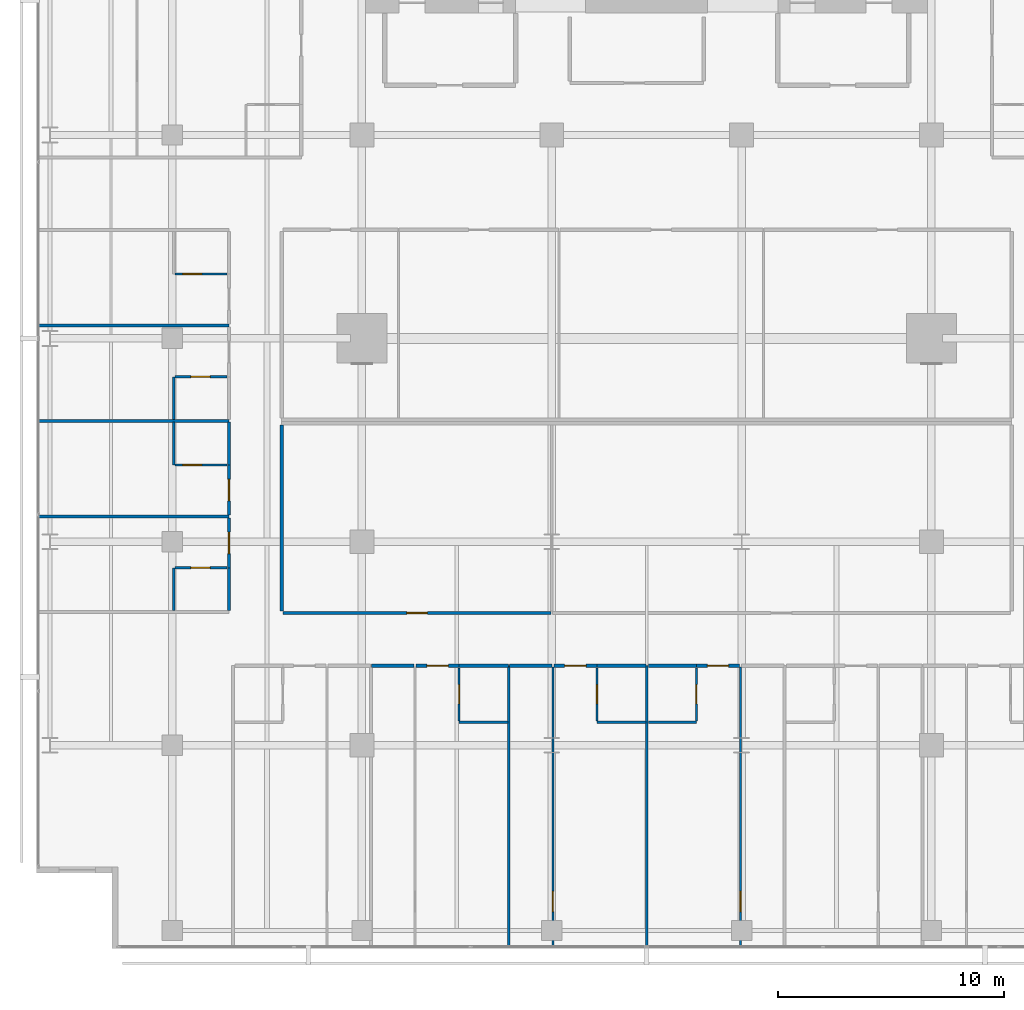
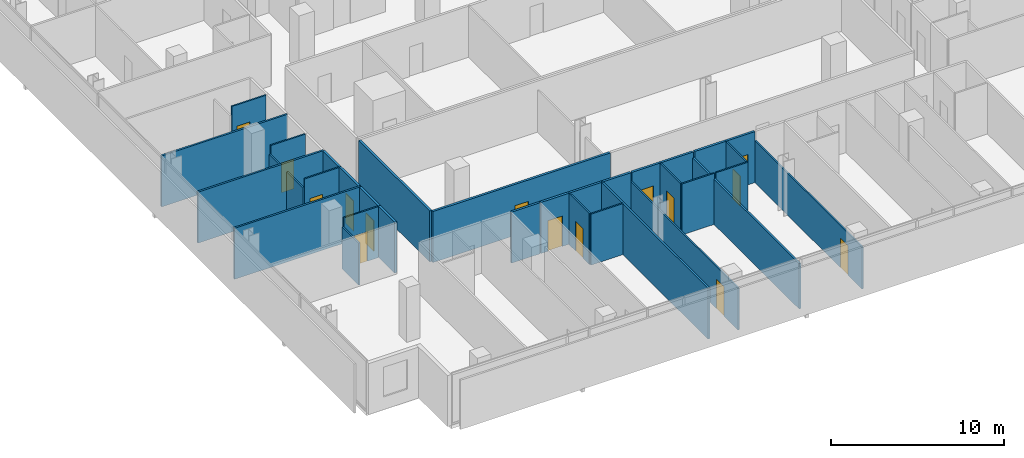
# One storey, part 33 of 40: 34 walls, 15 doors, 15 openings.
"""IFC4 building model written with IfcOpenShell, lengths in metres."""

import ifcopenshell
import ifcopenshell.guid

model = None  # the IFC model being written
_history = None  # IfcOwnerHistory: only IFC2X3 demands one
_inside = {}  # id of a spatial element -> (the spatial element, [elements in it])
_under = {}  # id of a project, library or spatial element -> (it, [spatial elements below it])
_declared = {}  # id of a project -> (the project, [libraries it declares])
_typed = {}  # id of a type object -> (the type object, [elements of that type])
_made_of = {}  # id of a material, layer set ... -> (it, [elements and type objects made of it])


def new_model(schema):
    """Start an empty IFC model of exactly this schema.

    Asked for "IFC4X3", IfcOpenShell would pick the latest addendum, in which some entities
    have other attributes; the version numbers below select the first issue.
    IFC2X3 requires an IfcOwnerHistory on every rooted entity: one is made here for all.
    """
    global model, _history
    if schema == "IFC4X3":
        model = ifcopenshell.file(schema_version=(4, 3, 0, 0))
    else:
        model = ifcopenshell.file(schema=schema)
    _inside.clear()
    _under.clear()
    _declared.clear()
    _typed.clear()
    _made_of.clear()
    _history = None
    if model.schema == "IFC2X3":
        org = make("IfcOrganization", Name="unknown")
        user = make(
            "IfcPersonAndOrganization",
            ThePerson=make("IfcPerson", FamilyName="unknown"),
            TheOrganization=org,
        )
        app = make(
            "IfcApplication",
            ApplicationDeveloper=org,
            Version="unknown",
            ApplicationFullName="unknown",
            ApplicationIdentifier="unknown",
        )
        _history = make(
            "IfcOwnerHistory",
            OwningUser=user,
            OwningApplication=app,
            ChangeAction="ADDED",
            CreationDate=0,
        )
    return model


def make(cls, **values):
    """One entity of the class cls with the attributes given. An attribute that is None is left unset."""
    return model.create_entity(
        cls, **{name: value for name, value in values.items() if value is not None}
    )


def rooted(cls, **values):
    """An entity with a GlobalId (a new one), such as an element, a storey or a relation."""
    return make(cls, GlobalId=ifcopenshell.guid.new(), OwnerHistory=_history, **values)


def si_unit(unit_type, name, prefix=None):
    """IfcSIUnit, for example si_unit("LENGTHUNIT", "METRE", prefix="MILLI")."""
    return make("IfcSIUnit", UnitType=unit_type, Prefix=prefix, Name=name)


def assignment(units):
    """IfcUnitAssignment: the units of a project."""
    return None if units is None else make("IfcUnitAssignment", Units=units)


def point(xyz):
    """IfcCartesianPoint."""
    return None if xyz is None else make("IfcCartesianPoint", Coordinates=xyz)


def direction(xyz):
    """IfcDirection."""
    return None if xyz is None else make("IfcDirection", DirectionRatios=xyz)


def frame(location, z_axis=None, x_axis=None):
    """IfcAxis2Placement3D, a coordinate frame: its origin and axes. An axis left out is left unset."""
    return make(
        "IfcAxis2Placement3D",
        Location=point(location),
        Axis=direction(z_axis),
        RefDirection=direction(x_axis),
    )


def frame_2d(location, x_axis=None):
    """IfcAxis2Placement2D, a coordinate frame in the plane: its origin and x axis."""
    return make(
        "IfcAxis2Placement2D", Location=point(location), RefDirection=direction(x_axis)
    )


def origin():
    """The frame at (0, 0, 0) with its axes left unset."""
    return frame((0.0, 0.0, 0.0))


def place(relative_to, where):
    """IfcLocalPlacement: puts the frame where relative to a parent placement (None: the world)."""
    return make(
        "IfcLocalPlacement", PlacementRelTo=relative_to, RelativePlacement=where
    )


def context(
    kind, dimensions, precision=None, world=None, true_north=None, identifier=None
):
    """IfcGeometricRepresentationContext, for example the 3D "Model" context."""
    return make(
        "IfcGeometricRepresentationContext",
        ContextIdentifier=identifier,
        ContextType=kind,
        CoordinateSpaceDimension=dimensions,
        Precision=precision,
        WorldCoordinateSystem=world,
        TrueNorth=true_north,
    )


def subcontext(parent, identifier, kind, view, scale=None):
    """IfcGeometricRepresentationSubContext, for example "Body" below "Model"."""
    return make(
        "IfcGeometricRepresentationSubContext",
        ContextIdentifier=identifier,
        ContextType=kind,
        ParentContext=parent,
        TargetScale=scale,
        TargetView=view,
    )


def project(units=None, contexts=None):
    """IfcProject with its units and contexts."""
    return rooted(
        "IfcProject",
        Name="project",
        RepresentationContexts=contexts,
        UnitsInContext=assignment(units),
    )


def spatial(cls, under=None, at=None, **own):
    """A site, building, storey or space (cls), placed at a placement, below another one or the project."""
    s = rooted(cls, ObjectPlacement=at, **own)
    if under is not None:
        _under.setdefault(under.id(), (under, []))[1].append(s)
    return s


def profile(cls, at=None, kind="AREA", **sizes):
    """A parametric profile (cls). Its sizes go by their IFC names, for example OverallWidth=200.0."""
    return make(cls, ProfileType=kind, Position=at, **sizes)


def rectangle(**sizes):
    """IfcRectangleProfileDef."""
    return profile("IfcRectangleProfileDef", **sizes)


def extrude(swept, where, along, depth):
    """IfcExtrudedAreaSolid: the profile swept, set in the frame where, extruded along a direction by depth."""
    return make(
        "IfcExtrudedAreaSolid",
        SweptArea=swept,
        Position=where,
        ExtrudedDirection=direction(along),
        Depth=depth,
    )


def shape(context_of_items, identifier, shape_type, items):
    """IfcShapeRepresentation: the items that make up one representation, for example the "Body"."""
    return make(
        "IfcShapeRepresentation",
        ContextOfItems=context_of_items,
        RepresentationIdentifier=identifier,
        RepresentationType=shape_type,
        Items=items,
    )


def material(Name=None, Category=None):
    """IfcMaterial."""
    return make("IfcMaterial", Name=Name, Category=Category)


def layer(
    of_material, thickness, ventilated=None, Name=None, Category=None, Priority=None
):
    """IfcMaterialLayer: one layer of a wall or slab, of a material (None: an air gap)."""
    return make(
        "IfcMaterialLayer",
        Material=of_material,
        LayerThickness=thickness,
        IsVentilated=ventilated,
        Name=Name,
        Category=Category,
        Priority=Priority,
    )


def layer_set(layers, Name=None):
    """IfcMaterialLayerSet."""
    return make("IfcMaterialLayerSet", MaterialLayers=layers, LayerSetName=Name)


def made_of(thing, what):
    """Note that an element or type object is made of a material, layer set ...; save() writes the relation."""
    if what is not None:
        _made_of.setdefault(what.id(), (what, []))[1].append(thing)
    return thing


def type_object(cls, material=None, **own):
    """A type object (cls), such as IfcWallType, which elements share."""
    return made_of(rooted(cls, **own), material)


def element(
    cls,
    number,
    at=None,
    inside=None,
    cuts=None,
    type_object=None,
    material=None,
    context=None,
    identifier="Body",
    shape_type=None,
    held_by="IfcProductDefinitionShape",
    body=None,
    shapes=None,
    **own,
):
    """One element of the class cls, such as IfcWall. Its Tag is "e" and its number.

    at: its placement. inside: the storey or other place that contains it. cuts: it is an
    opening in that element (IfcRelVoidsElement). A single representation is given by context,
    identifier, shape_type and body (its items); several are given by shapes. held_by: the class
    of the entity that holds the representations. save() writes the other relations.
    """
    e = rooted(cls, Tag="e%d" % number, ObjectPlacement=at, **own)
    if body is not None:
        shapes = [shape(context, identifier, shape_type, body)]
    if shapes is not None:
        e.Representation = make(held_by, Representations=shapes)
    if inside is not None:
        _inside.setdefault(inside.id(), (inside, []))[1].append(e)
    if cuts is not None:
        rooted(
            "IfcRelVoidsElement", RelatingBuildingElement=cuts, RelatedOpeningElement=e
        )
    if type_object is not None:
        _typed.setdefault(type_object.id(), (type_object, []))[1].append(e)
    return made_of(e, material)


def fill(opening, filler):
    """IfcRelFillsElement: the door or window that sits in an opening."""
    return rooted(
        "IfcRelFillsElement",
        RelatingOpeningElement=opening,
        RelatedBuildingElement=filler,
    )


def aggregate(whole, parts):
    """IfcRelAggregates: a whole, such as a stair, and the parts it consists of."""
    return rooted("IfcRelAggregates", RelatingObject=whole, RelatedObjects=parts)


def save(model, path):
    """Write the relations noted so far, then the file.

    IfcRelAggregates (storeys below a building ...), IfcRelContainedInSpatialStructure (elements
    in a storey), IfcRelDefinesByType, IfcRelAssociatesMaterial and IfcRelDeclares: one each for
    every whole, place, type object, material and project.
    """
    for whole, parts in _under.values():
        aggregate(whole, parts)
    for where, things in _inside.values():
        rooted(
            "IfcRelContainedInSpatialStructure",
            RelatedElements=things,
            RelatingStructure=where,
        )
    for kind, things in _typed.values():
        rooted("IfcRelDefinesByType", RelatedObjects=things, RelatingType=kind)
    for what, things in _made_of.values():
        rooted("IfcRelAssociatesMaterial", RelatedObjects=things, RelatingMaterial=what)
    for by, libraries in _declared.values():
        rooted("IfcRelDeclares", RelatingContext=by, RelatedDefinitions=libraries)
    model.write(path)


model = new_model("IFC4")

# Units and contexts
model_context = context("Model", 3, precision=1e-05, world=origin(), true_north=direction((0.0, 1.0)))
body_context = subcontext(model_context, "Body", "Model", "MODEL_VIEW")
ifc_project = project(units=[si_unit("LENGTHUNIT", "METRE"), si_unit("AREAUNIT", "SQUARE_METRE"), si_unit("VOLUMEUNIT", "CUBIC_METRE"), si_unit("PLANEANGLEUNIT", "RADIAN"), si_unit("MASSUNIT", "GRAM", prefix="KILO")], contexts=[model_context])

# Site, building, storey
site_placement = place(None, origin())
site = spatial("IfcSite", under=ifc_project, at=site_placement, CompositionType="ELEMENT")
building_placement = place(site_placement, origin())
building = spatial("IfcBuilding", under=site, at=building_placement, Name="Maruvema Waterfront Hotel and Observation Tower", CompositionType="ELEMENT")
storey_placement = place(building_placement, frame((0.0, 0.0, 30.800048828125)))
storey = spatial("IfcBuildingStorey", under=building, at=storey_placement, Name="L06", CompositionType="ELEMENT", Elevation=30.800048828125)

# Wall
ifc_material_1 = material(Name="Twin-stud acoustic gypsum drywall", Category="gypsum")
ifc_layer_1 = layer(ifc_material_1, 0.14990234375, Name="Acoustic Corridor and Suite Demising Wall 150 mm")
ifc_layer_set_1 = layer_set([ifc_layer_1], Name="Twin-stud acoustic gypsum drywall")
wall_type_1 = type_object("IfcWallType", Name="Acoustic Corridor and Suite Demising Wall 150 mm", PredefinedType="PARTITIONING", material=ifc_layer_set_1)
wall_1_placement = place(storey_placement, frame((21.64990234375, 14.929931640625, 0.0), z_axis=(0.0, 0.0, 1.0), x_axis=(0.0, 1.0, 0.0)))
element("IfcWall", 1, at=wall_1_placement, inside=storey, type_object=wall_type_1, Name="L06 L06-INTS West Wall 027", PredefinedType="PARTITIONING", context=body_context, shape_type="SweptSolid", body=[
    extrude(rectangle(XDim=8.22998046875, YDim=0.14990234375, at=frame_2d((4.114990234375, 0.0))), origin(), (0.0, 0.0, 1.0), 3.60986328125),
])

# Wall, opening, door
wall_2_placement = place(storey_placement, frame((21.7099609375, 14.85009765625, 0.0), z_axis=(0.0, 0.0, 1.0), x_axis=(1.0, 0.0, 0.0)))
wall_2 = element("IfcWall", 2, at=wall_2_placement, inside=storey, type_object=wall_type_1, Name="L06 L06-INTS Front 1 029", PredefinedType="PARTITIONING", context=body_context, shape_type="SweptSolid", body=[
    extrude(rectangle(XDim=11.861083984375, YDim=0.14990234375, at=frame_2d((5.9306640625, 0.0))), origin(), (0.0, 0.0, 1.0), 3.60986328125),
])
opening_1_placement = place(wall_2_placement, frame((5.48046875, 0.0, 0.0)))
opening_1 = element("IfcOpeningElement", 3, at=opening_1_placement, cuts=wall_2, Name="Opening DR-090", PredefinedType="OPENING", context=body_context, shape_type="SweptSolid", body=[
    extrude(rectangle(XDim=0.89990234375, YDim=2.10009765625, at=frame_2d((0.449951171875, 1.050048828125))), frame((0.0, 0.0849609375, 0.0), z_axis=(0.0, -1.0, 0.0), x_axis=(1.0, 0.0, 0.0)), (0.0, 0.0, 1.0), 0.169921875),
])
ifc_material_2 = material(Name="Solid-core lacquered timber leaf", Category="wood")
door_type_1 = type_object("IfcDoorType", Name="Accessible Toilet and Room Door 900x2100 mm", OperationType="NOTDEFINED", PredefinedType="DOOR", material=ifc_material_2)
door_1_placement = place(opening_1_placement, frame((0.89990234375, 0.0, 0.0), z_axis=(0.0, 0.0, 1.0), x_axis=(-1.0, 0.0, 0.0)))
door_1 = element("IfcDoor", 4, at=door_1_placement, inside=storey, type_object=door_type_1, Name="L06 Guest Lounge West Door", OperationType="SINGLE_SWING_LEFT", OverallHeight=2.10009765625, OverallWidth=0.89990234375, PredefinedType="DOOR", context=body_context, shape_type="SweptSolid", body=[
    extrude(rectangle(XDim=0.89990234375, YDim=2.10009765625, at=frame_2d((0.449951171875, 1.050048828125))), frame((0.0, 0.02490234375, 0.0), z_axis=(0.0, -1.0, 0.0), x_axis=(1.0, 0.0, 0.0)), (0.0, 0.0, 1.0), 0.050048828125),
])
fill(opening_1, door_1)

# Walls
wall_3_placement = place(storey_placement, frame((29.5, 12.52001953125, 0.0), z_axis=(0.0, 0.0, 1.0), x_axis=(1.0, 0.0, 0.0)))
element("IfcWall", 5, at=wall_3_placement, inside=storey, type_object=wall_type_1, Name="L06 Bath L06-S2 Back Wall 041", PredefinedType="PARTITIONING", context=body_context, shape_type="SweptSolid", body=[
    extrude(rectangle(XDim=2.179931640625, YDim=0.14990234375, at=frame_2d((1.08984375, 0.0))), origin(), (0.0, 0.0, 1.0), 3.60986328125),
])
wall_4_placement = place(storey_placement, frame((25.6201171875, 12.52001953125, 0.0), z_axis=(0.0, 0.0, 1.0), x_axis=(1.0, 0.0, 0.0)))
element("IfcWall", 6, at=wall_4_placement, inside=storey, type_object=wall_type_1, Name="L06 Bedroom L06-S2 Back Wall 044", PredefinedType="PARTITIONING", context=body_context, shape_type="SweptSolid", body=[
    extrude(rectangle(XDim=1.889892578125, YDim=0.14990234375, at=frame_2d((0.94482421875, 0.0))), origin(), (0.0, 0.0, 1.0), 3.60986328125),
])

# Wall, opening, door
wall_5_placement = place(storey_placement, frame((27.590087890625, 12.52001953125, 0.0), z_axis=(0.0, 0.0, 1.0), x_axis=(1.0, 0.0, 0.0)))
wall_5 = element("IfcWall", 7, at=wall_5_placement, inside=storey, type_object=wall_type_1, Name="L06 Unit L06-S2 Corridor Wall 045", PredefinedType="PARTITIONING", context=body_context, shape_type="SweptSolid", body=[
    extrude(rectangle(XDim=1.909912109375, YDim=0.14990234375, at=frame_2d((0.955078125, 0.0))), origin(), (0.0, 0.0, 1.0), 3.60986328125),
])
opening_2_placement = place(wall_5_placement, frame((0.47998046875, 0.0, 0.0)))
opening_2 = element("IfcOpeningElement", 8, at=opening_2_placement, cuts=wall_5, Name="Opening DR-095", PredefinedType="OPENING", context=body_context, shape_type="SweptSolid", body=[
    extrude(rectangle(XDim=0.949951171875, YDim=2.14990234375, at=frame_2d((0.47509765625, 1.074951171875))), frame((0.0, 0.0849609375, 0.0), z_axis=(0.0, -1.0, 0.0), x_axis=(1.0, 0.0, 0.0)), (0.0, 0.0, 1.0), 0.169921875),
])
ifc_material_3 = material(Name="Acoustic solid-core hardwood timber leaf", Category="wood")
door_type_2 = type_object("IfcDoorType", Name="Guestroom Entrance Fire Door 950x2150 mm", OperationType="NOTDEFINED", PredefinedType="DOOR", material=ifc_material_3)
door_2_placement = place(opening_2_placement, frame((0.949951171875, 0.0, 0.0), z_axis=(0.0, 0.0, 1.0), x_axis=(-1.0, 0.0, 0.0)))
door_2 = element("IfcDoor", 9, at=door_2_placement, inside=storey, type_object=door_type_2, Name="L06 Unit L06-S2 Entrance Door", OperationType="SINGLE_SWING_LEFT", OverallHeight=2.14990234375, OverallWidth=0.949951171875, PredefinedType="DOOR", context=body_context, shape_type="SweptSolid", body=[
    extrude(rectangle(XDim=0.949951171875, YDim=2.14990234375, at=frame_2d((0.47509765625, 1.074951171875))), frame((0.0, 0.02490234375, 0.0), z_axis=(0.0, -1.0, 0.0), x_axis=(1.0, 0.0, 0.0)), (0.0, 0.0, 1.0), 0.050048828125),
])
fill(opening_2, door_2)

# Walls
wall_6_placement = place(storey_placement, frame((35.60009765625, 12.52001953125, 0.0), z_axis=(0.0, 0.0, 1.0), x_axis=(1.0, 0.0, 0.0)))
element("IfcWall", 10, at=wall_6_placement, inside=storey, type_object=wall_type_1, Name="L06 Bath L06-S3 Back Wall 048", PredefinedType="PARTITIONING", context=body_context, shape_type="SweptSolid", body=[
    extrude(rectangle(XDim=2.179931640625, YDim=0.14990234375, at=frame_2d((1.08984375, 0.0))), origin(), (0.0, 0.0, 1.0), 3.60986328125),
])
wall_7_placement = place(storey_placement, frame((31.719970703125, 12.52001953125, 0.0), z_axis=(0.0, 0.0, 1.0), x_axis=(1.0, 0.0, 0.0)))
element("IfcWall", 11, at=wall_7_placement, inside=storey, type_object=wall_type_1, Name="L06 Bedroom L06-S3 Back Wall 051", PredefinedType="PARTITIONING", context=body_context, shape_type="SweptSolid", body=[
    extrude(rectangle(XDim=1.89013671875, YDim=0.14990234375, at=frame_2d((0.945068359375, 0.0))), origin(), (0.0, 0.0, 1.0), 3.60986328125),
])

# Wall, opening, door
wall_8_placement = place(storey_placement, frame((33.68994140625, 12.52001953125, 0.0), z_axis=(0.0, 0.0, 1.0), x_axis=(1.0, 0.0, 0.0)))
wall_8 = element("IfcWall", 12, at=wall_8_placement, inside=storey, type_object=wall_type_1, Name="L06 Unit L06-S3 Corridor Wall 052", PredefinedType="PARTITIONING", context=body_context, shape_type="SweptSolid", body=[
    extrude(rectangle(XDim=1.91015625, YDim=0.14990234375, at=frame_2d((0.955078125, 0.0))), origin(), (0.0, 0.0, 1.0), 3.60986328125),
])
opening_3_placement = place(wall_8_placement, frame((0.47998046875, 0.0, 0.0)))
opening_3 = element("IfcOpeningElement", 13, at=opening_3_placement, cuts=wall_8, Name="Opening DR-095", PredefinedType="OPENING", context=body_context, shape_type="SweptSolid", body=[
    extrude(rectangle(XDim=0.949951171875, YDim=2.14990234375, at=frame_2d((0.47509765625, 1.074951171875))), frame((0.0, 0.0849609375, 0.0), z_axis=(0.0, -1.0, 0.0), x_axis=(1.0, 0.0, 0.0)), (0.0, 0.0, 1.0), 0.169921875),
])
door_3_placement = place(opening_3_placement, frame((0.949951171875, 0.0, 0.0), z_axis=(0.0, 0.0, 1.0), x_axis=(-1.0, 0.0, 0.0)))
door_3 = element("IfcDoor", 14, at=door_3_placement, inside=storey, type_object=door_type_2, Name="L06 Unit L06-S3 Entrance Door", OperationType="SINGLE_SWING_RIGHT", OverallHeight=2.14990234375, OverallWidth=0.949951171875, PredefinedType="DOOR", context=body_context, shape_type="SweptSolid", body=[
    extrude(rectangle(XDim=0.949951171875, YDim=2.14990234375, at=frame_2d((0.47509765625, 1.074951171875))), frame((0.0, 0.02490234375, 0.0), z_axis=(0.0, -1.0, 0.0), x_axis=(1.0, 0.0, 0.0)), (0.0, 0.0, 1.0), 0.050048828125),
])
fill(opening_3, door_3)

# Wall
wall_9_placement = place(storey_placement, frame((37.8798828125, 12.52001953125, 0.0), z_axis=(0.0, 0.0, 1.0), x_axis=(1.0, 0.0, 0.0)))
element("IfcWall", 15, at=wall_9_placement, inside=storey, type_object=wall_type_1, Name="L06 Bath L06-S4 Back Wall 055", PredefinedType="PARTITIONING", context=body_context, shape_type="SweptSolid", body=[
    extrude(rectangle(XDim=2.1201171875, YDim=0.14990234375, at=frame_2d((1.06005859375, 0.0))), origin(), (0.0, 0.0, 1.0), 3.60986328125),
])

# Wall, opening, door
wall_10_placement = place(storey_placement, frame((40.0, 12.52001953125, 0.0), z_axis=(0.0, 0.0, 1.0), x_axis=(1.0, 0.0, 0.0)))
wall_10 = element("IfcWall", 16, at=wall_10_placement, inside=storey, type_object=wall_type_1, Name="L06 Unit L06-S4 Corridor Wall 058", PredefinedType="PARTITIONING", context=body_context, shape_type="SweptSolid", body=[
    extrude(rectangle(XDim=1.909912109375, YDim=0.14990234375, at=frame_2d((0.955078125, 0.0))), origin(), (0.0, 0.0, 1.0), 3.60986328125),
])
opening_4_placement = place(wall_10_placement, frame((0.47998046875, 0.0, 0.0)))
opening_4 = element("IfcOpeningElement", 17, at=opening_4_placement, cuts=wall_10, Name="Opening DR-095", PredefinedType="OPENING", context=body_context, shape_type="SweptSolid", body=[
    extrude(rectangle(XDim=0.949951171875, YDim=2.14990234375, at=frame_2d((0.47509765625, 1.074951171875))), frame((0.0, 0.0849609375, 0.0), z_axis=(0.0, -1.0, 0.0), x_axis=(1.0, 0.0, 0.0)), (0.0, 0.0, 1.0), 0.169921875),
])
door_4_placement = place(opening_4_placement, frame((0.949951171875, 0.0, 0.0), z_axis=(0.0, 0.0, 1.0), x_axis=(-1.0, 0.0, 0.0)))
door_4 = element("IfcDoor", 18, at=door_4_placement, inside=storey, type_object=door_type_2, Name="L06 Unit L06-S4 Entrance Door", OperationType="SINGLE_SWING_LEFT", OverallHeight=2.14990234375, OverallWidth=0.949951171875, PredefinedType="DOOR", context=body_context, shape_type="SweptSolid", body=[
    extrude(rectangle(XDim=0.949951171875, YDim=2.14990234375, at=frame_2d((0.47509765625, 1.074951171875))), frame((0.0, 0.02490234375, 0.0), z_axis=(0.0, -1.0, 0.0), x_axis=(1.0, 0.0, 0.0)), (0.0, 0.0, 1.0), 0.050048828125),
])
fill(opening_4, door_4)

# Wall
wall_11_placement = place(storey_placement, frame((19.320068359375, 14.9599609375, 0.0), z_axis=(0.0, 0.0, 1.0), x_axis=(0.0, 1.0, 0.0)))
element("IfcWall", 19, at=wall_11_placement, inside=storey, type_object=wall_type_1, Name="L06 Bath L06-W1 Wall 079", PredefinedType="PARTITIONING", context=body_context, shape_type="SweptSolid", body=[
    extrude(rectangle(XDim=1.89013671875, YDim=0.14990234375, at=frame_2d((0.945068359375, 0.0))), origin(), (0.0, 0.0, 1.0), 3.60986328125),
])

# Wall, opening, door
wall_12_placement = place(storey_placement, frame((19.320068359375, 16.85009765625, 0.0), z_axis=(0.0, 0.0, 1.0), x_axis=(0.0, 1.0, 0.0)))
wall_12 = element("IfcWall", 20, at=wall_12_placement, inside=storey, type_object=wall_type_1, Name="L06 Room L06-W1 Corridor Wall 080", PredefinedType="PARTITIONING", context=body_context, shape_type="SweptSolid", body=[
    extrude(rectangle(XDim=2.2099609375, YDim=0.14990234375, at=frame_2d((1.10498046875, 0.0))), origin(), (0.0, 0.0, 1.0), 3.60986328125),
])
opening_5_placement = place(wall_12_placement, frame((0.6298828125, 0.0, 0.0)))
opening_5 = element("IfcOpeningElement", 21, at=opening_5_placement, cuts=wall_12, Name="Opening DR-095", PredefinedType="OPENING", context=body_context, shape_type="SweptSolid", body=[
    extrude(rectangle(XDim=0.949951171875, YDim=2.14990234375, at=frame_2d((0.47509765625, 1.074951171875))), frame((0.0, 0.0849609375, 0.0), z_axis=(0.0, -1.0, 0.0), x_axis=(1.0, 0.0, 0.0)), (0.0, 0.0, 1.0), 0.169921875),
])
door_5_placement = place(opening_5_placement, origin())
door_5 = element("IfcDoor", 22, at=door_5_placement, inside=storey, type_object=door_type_2, Name="L06 Room L06-W1 Entrance Door", OperationType="SINGLE_SWING_RIGHT", OverallHeight=2.14990234375, OverallWidth=0.949951171875, PredefinedType="DOOR", context=body_context, shape_type="SweptSolid", body=[
    extrude(rectangle(XDim=0.949951171875, YDim=2.14990234375, at=frame_2d((0.47509765625, 1.074951171875))), frame((0.0, 0.02490234375, 0.0), z_axis=(0.0, -1.0, 0.0), x_axis=(1.0, 0.0, 0.0)), (0.0, 0.0, 1.0), 0.050048828125),
])
fill(opening_5, door_5)

wall_13_placement = place(storey_placement, frame((19.320068359375, 19.179931640625, 0.0), z_axis=(0.0, 0.0, 1.0), x_axis=(0.0, 1.0, 0.0)))
wall_13 = element("IfcWall", 23, at=wall_13_placement, inside=storey, type_object=wall_type_1, Name="L06 Room L06-W2 Corridor Wall 089", PredefinedType="PARTITIONING", context=body_context, shape_type="SweptSolid", body=[
    extrude(rectangle(XDim=2.219970703125, YDim=0.14990234375, at=frame_2d((1.10986328125, 0.0))), origin(), (0.0, 0.0, 1.0), 3.60986328125),
])
opening_6_placement = place(wall_13_placement, frame((0.635009765625, 0.0, 0.0)))
opening_6 = element("IfcOpeningElement", 24, at=opening_6_placement, cuts=wall_13, Name="Opening DR-095", PredefinedType="OPENING", context=body_context, shape_type="SweptSolid", body=[
    extrude(rectangle(XDim=0.949951171875, YDim=2.14990234375, at=frame_2d((0.47509765625, 1.074951171875))), frame((0.0, 0.0849609375, 0.0), z_axis=(0.0, -1.0, 0.0), x_axis=(1.0, 0.0, 0.0)), (0.0, 0.0, 1.0), 0.169921875),
])
door_6_placement = place(opening_6_placement, origin())
door_6 = element("IfcDoor", 25, at=door_6_placement, inside=storey, type_object=door_type_2, Name="L06 Room L06-W2 Entrance Door", OperationType="SINGLE_SWING_RIGHT", OverallHeight=2.14990234375, OverallWidth=0.949951171875, PredefinedType="DOOR", context=body_context, shape_type="SweptSolid", body=[
    extrude(rectangle(XDim=0.949951171875, YDim=2.14990234375, at=frame_2d((0.47509765625, 1.074951171875))), frame((0.0, 0.02490234375, 0.0), z_axis=(0.0, -1.0, 0.0), x_axis=(1.0, 0.0, 0.0)), (0.0, 0.0, 1.0), 0.050048828125),
])
fill(opening_6, door_6)

# Walls
wall_14_placement = place(storey_placement, frame((19.320068359375, 21.39990234375, 0.0), z_axis=(0.0, 0.0, 1.0), x_axis=(0.0, 1.0, 0.0)))
element("IfcWall", 26, at=wall_14_placement, inside=storey, type_object=wall_type_1, Name="L06 Bath L06-W2 Wall 090", PredefinedType="PARTITIONING", context=body_context, shape_type="SweptSolid", body=[
    extrude(rectangle(XDim=1.89013671875, YDim=0.14990234375, at=frame_2d((0.945068359375, 0.0))), origin(), (0.0, 0.0, 1.0), 3.60986328125),
])
ifc_material_4 = material(Name="Moisture-resistant cement-board drywall", Category="gypsum")
ifc_layer_2 = layer(ifc_material_4, 0.10009765625, Name="En-Suite Moisture-Resistant Partition 100 mm")
ifc_layer_set_2 = layer_set([ifc_layer_2], Name="Moisture-resistant cement-board drywall")
wall_type_2 = type_object("IfcWallType", Name="En-Suite Moisture-Resistant Partition 100 mm", PredefinedType="PARTITIONING", material=ifc_layer_set_2)
wall_15_placement = place(storey_placement, frame((29.5, 10.02001953125, 0.0), z_axis=(0.0, 0.0, 1.0), x_axis=(1.0, 0.0, 0.0)))
element("IfcWall", 27, at=wall_15_placement, inside=storey, type_object=wall_type_2, Name="L06 En-Suite L06-S2 South 042", PredefinedType="PARTITIONING", context=body_context, shape_type="SweptSolid", body=[
    extrude(rectangle(XDim=2.159912109375, YDim=0.10009765625, at=frame_2d((1.080078125, 0.0))), origin(), (0.0, 0.0, 1.0), 3.60986328125),
])

# Wall, opening, door
wall_16_placement = place(storey_placement, frame((29.5, 10.080078125, 0.0), z_axis=(0.0, 0.0, 1.0), x_axis=(0.0, 1.0, 0.0)))
wall_16 = element("IfcWall", 28, at=wall_16_placement, inside=storey, type_object=wall_type_2, Name="L06 En-Suite L06-S2 West 043", PredefinedType="PARTITIONING", context=body_context, shape_type="SweptSolid", body=[
    extrude(rectangle(XDim=2.33984375, YDim=0.10009765625, at=frame_2d((1.169921875, 0.0))), origin(), (0.0, 0.0, 1.0), 3.60986328125),
])
opening_7_placement = place(wall_16_placement, frame((0.7451171875, 0.0, 0.0)))
opening_7 = element("IfcOpeningElement", 29, at=opening_7_placement, cuts=wall_16, Name="Opening DR-085", PredefinedType="OPENING", context=body_context, shape_type="SweptSolid", body=[
    extrude(rectangle(XDim=0.85009765625, YDim=2.10009765625, at=frame_2d((0.425048828125, 1.050048828125))), frame((0.0, 0.06005859375, 0.0), z_axis=(0.0, -1.0, 0.0), x_axis=(1.0, 0.0, 0.0)), (0.0, 0.0, 1.0), 0.1201171875),
])
ifc_material_5 = material(Name="Moisture-resistant solid timber leaf", Category="wood")
door_type_3 = type_object("IfcDoorType", Name="En-Suite Bathroom Door 850x2100 mm", OperationType="NOTDEFINED", PredefinedType="DOOR", material=ifc_material_5)
door_7_placement = place(opening_7_placement, origin())
door_7 = element("IfcDoor", 30, at=door_7_placement, inside=storey, type_object=door_type_3, Name="L06 En-Suite L06-S2 Door", OperationType="SINGLE_SWING_RIGHT", OverallHeight=2.10009765625, OverallWidth=0.85009765625, PredefinedType="DOOR", context=body_context, shape_type="SweptSolid", body=[
    extrude(rectangle(XDim=0.85009765625, YDim=2.10009765625, at=frame_2d((0.425048828125, 1.050048828125))), frame((0.0, 0.02490234375, 0.0), z_axis=(0.0, -1.0, 0.0), x_axis=(1.0, 0.0, 0.0)), (0.0, 0.0, 1.0), 0.050048828125),
])
fill(opening_7, door_7)

# Wall
wall_17_placement = place(storey_placement, frame((35.60009765625, 10.02001953125, 0.0), z_axis=(0.0, 0.0, 1.0), x_axis=(1.0, 0.0, 0.0)))
element("IfcWall", 31, at=wall_17_placement, inside=storey, type_object=wall_type_2, Name="L06 En-Suite L06-S3 South 049", PredefinedType="PARTITIONING", context=body_context, shape_type="SweptSolid", body=[
    extrude(rectangle(XDim=2.159912109375, YDim=0.10009765625, at=frame_2d((1.080078125, 0.0))), origin(), (0.0, 0.0, 1.0), 3.60986328125),
])

# Wall, opening, door
wall_18_placement = place(storey_placement, frame((35.60009765625, 10.080078125, 0.0), z_axis=(0.0, 0.0, 1.0), x_axis=(0.0, 1.0, 0.0)))
wall_18 = element("IfcWall", 32, at=wall_18_placement, inside=storey, type_object=wall_type_2, Name="L06 En-Suite L06-S3 West 050", PredefinedType="PARTITIONING", context=body_context, shape_type="SweptSolid", body=[
    extrude(rectangle(XDim=2.33984375, YDim=0.10009765625, at=frame_2d((1.169921875, 0.0))), origin(), (0.0, 0.0, 1.0), 3.60986328125),
])
opening_8_placement = place(wall_18_placement, frame((0.7451171875, 0.0, 0.0)))
opening_8 = element("IfcOpeningElement", 33, at=opening_8_placement, cuts=wall_18, Name="Opening DR-085", PredefinedType="OPENING", context=body_context, shape_type="SweptSolid", body=[
    extrude(rectangle(XDim=0.85009765625, YDim=2.10009765625, at=frame_2d((0.425048828125, 1.050048828125))), frame((0.0, 0.06005859375, 0.0), z_axis=(0.0, -1.0, 0.0), x_axis=(1.0, 0.0, 0.0)), (0.0, 0.0, 1.0), 0.1201171875),
])
door_8_placement = place(opening_8_placement, origin())
door_8 = element("IfcDoor", 34, at=door_8_placement, inside=storey, type_object=door_type_3, Name="L06 En-Suite L06-S3 Door", OperationType="SINGLE_SWING_LEFT", OverallHeight=2.10009765625, OverallWidth=0.85009765625, PredefinedType="DOOR", context=body_context, shape_type="SweptSolid", body=[
    extrude(rectangle(XDim=0.85009765625, YDim=2.10009765625, at=frame_2d((0.425048828125, 1.050048828125))), frame((0.0, 0.02490234375, 0.0), z_axis=(0.0, -1.0, 0.0), x_axis=(1.0, 0.0, 0.0)), (0.0, 0.0, 1.0), 0.050048828125),
])
fill(opening_8, door_8)

wall_19_placement = place(storey_placement, frame((33.64990234375, 0.030029296875, 0.0), z_axis=(0.0, 0.0, 1.0), x_axis=(0.0, 1.0, 0.0)))
wall_19 = element("IfcWall", 35, at=wall_19_placement, inside=storey, type_object=wall_type_2, Name="L06 Suite L06-S3 Split 053", PredefinedType="PARTITIONING", context=body_context, shape_type="SweptSolid", body=[
    extrude(rectangle(XDim=12.429931640625, YDim=0.10009765625, at=frame_2d((6.21484375, 0.0))), origin(), (0.0, 0.0, 1.0), 2.974853515625),
])
opening_9_placement = place(wall_19_placement, frame((1.60009765625, 0.0, 0.0)))
opening_9 = element("IfcOpeningElement", 36, at=opening_9_placement, cuts=wall_19, Name="Opening DR-090", PredefinedType="OPENING", context=body_context, shape_type="SweptSolid", body=[
    extrude(rectangle(XDim=0.89990234375, YDim=2.10009765625, at=frame_2d((0.449951171875, 1.050048828125))), frame((0.0, 0.06005859375, 0.0), z_axis=(0.0, -1.0, 0.0), x_axis=(1.0, 0.0, 0.0)), (0.0, 0.0, 1.0), 0.1201171875),
])
door_9_placement = place(opening_9_placement, frame((0.89990234375, 0.0, 0.0), z_axis=(0.0, 0.0, 1.0), x_axis=(-1.0, 0.0, 0.0)))
door_9 = element("IfcDoor", 37, at=door_9_placement, inside=storey, type_object=door_type_1, Name="L06 Suite L06-S3 Bedroom Door", OperationType="SINGLE_SWING_LEFT", OverallHeight=2.10009765625, OverallWidth=0.89990234375, PredefinedType="DOOR", context=body_context, shape_type="SweptSolid", body=[
    extrude(rectangle(XDim=0.89990234375, YDim=2.10009765625, at=frame_2d((0.449951171875, 1.050048828125))), frame((0.0, 0.02490234375, 0.0), z_axis=(0.0, -1.0, 0.0), x_axis=(1.0, 0.0, 0.0)), (0.0, 0.0, 1.0), 0.050048828125),
])
fill(opening_9, door_9)

# Wall
wall_20_placement = place(storey_placement, frame((37.8798828125, 10.02001953125, 0.0), z_axis=(0.0, 0.0, 1.0), x_axis=(1.0, 0.0, 0.0)))
element("IfcWall", 38, at=wall_20_placement, inside=storey, type_object=wall_type_2, Name="L06 En-Suite L06-S4 South 056", PredefinedType="PARTITIONING", context=body_context, shape_type="SweptSolid", body=[
    extrude(rectangle(XDim=2.1201171875, YDim=0.10009765625, at=frame_2d((1.06005859375, 0.0))), origin(), (0.0, 0.0, 1.0), 3.60986328125),
])

# Wall, opening, door
wall_21_placement = place(storey_placement, frame((40.0, 10.080078125, 0.0), z_axis=(0.0, 0.0, 1.0), x_axis=(0.0, 1.0, 0.0)))
wall_21 = element("IfcWall", 39, at=wall_21_placement, inside=storey, type_object=wall_type_2, Name="L06 En-Suite L06-S4 East 057", PredefinedType="PARTITIONING", context=body_context, shape_type="SweptSolid", body=[
    extrude(rectangle(XDim=2.33984375, YDim=0.10009765625, at=frame_2d((1.169921875, 0.0))), origin(), (0.0, 0.0, 1.0), 3.60986328125),
])
opening_10_placement = place(wall_21_placement, frame((0.7451171875, 0.0, 0.0)))
opening_10 = element("IfcOpeningElement", 40, at=opening_10_placement, cuts=wall_21, Name="Opening DR-085", PredefinedType="OPENING", context=body_context, shape_type="SweptSolid", body=[
    extrude(rectangle(XDim=0.85009765625, YDim=2.10009765625, at=frame_2d((0.425048828125, 1.050048828125))), frame((0.0, 0.06005859375, 0.0), z_axis=(0.0, -1.0, 0.0), x_axis=(1.0, 0.0, 0.0)), (0.0, 0.0, 1.0), 0.1201171875),
])
door_10_placement = place(opening_10_placement, frame((0.85009765625, 0.0, 0.0), z_axis=(0.0, 0.0, 1.0), x_axis=(-1.0, 0.0, 0.0)))
door_10 = element("IfcDoor", 41, at=door_10_placement, inside=storey, type_object=door_type_3, Name="L06 En-Suite L06-S4 Door", OperationType="SINGLE_SWING_RIGHT", OverallHeight=2.10009765625, OverallWidth=0.85009765625, PredefinedType="DOOR", context=body_context, shape_type="SweptSolid", body=[
    extrude(rectangle(XDim=0.85009765625, YDim=2.10009765625, at=frame_2d((0.425048828125, 1.050048828125))), frame((0.0, 0.02490234375, 0.0), z_axis=(0.0, -1.0, 0.0), x_axis=(1.0, 0.0, 0.0)), (0.0, 0.0, 1.0), 0.050048828125),
])
fill(opening_10, door_10)

wall_22_placement = place(storey_placement, frame((41.949951171875, 0.030029296875, 0.0), z_axis=(0.0, 0.0, 1.0), x_axis=(0.0, 1.0, 0.0)))
wall_22 = element("IfcWall", 42, at=wall_22_placement, inside=storey, type_object=wall_type_2, Name="L06 Suite L06-S4 Split 060", PredefinedType="PARTITIONING", context=body_context, shape_type="SweptSolid", body=[
    extrude(rectangle(XDim=12.429931640625, YDim=0.10009765625, at=frame_2d((6.21484375, 0.0))), origin(), (0.0, 0.0, 1.0), 2.974853515625),
])
opening_11_placement = place(wall_22_placement, frame((1.60009765625, 0.0, 0.0)))
opening_11 = element("IfcOpeningElement", 43, at=opening_11_placement, cuts=wall_22, Name="Opening DR-090", PredefinedType="OPENING", context=body_context, shape_type="SweptSolid", body=[
    extrude(rectangle(XDim=0.89990234375, YDim=2.10009765625, at=frame_2d((0.449951171875, 1.050048828125))), frame((0.0, 0.06005859375, 0.0), z_axis=(0.0, -1.0, 0.0), x_axis=(1.0, 0.0, 0.0)), (0.0, 0.0, 1.0), 0.1201171875),
])
door_11_placement = place(opening_11_placement, origin())
door_11 = element("IfcDoor", 44, at=door_11_placement, inside=storey, type_object=door_type_1, Name="L06 Suite L06-S4 Bedroom Door", OperationType="SINGLE_SWING_RIGHT", OverallHeight=2.10009765625, OverallWidth=0.89990234375, PredefinedType="DOOR", context=body_context, shape_type="SweptSolid", body=[
    extrude(rectangle(XDim=0.89990234375, YDim=2.10009765625, at=frame_2d((0.449951171875, 1.050048828125))), frame((0.0, 0.02490234375, 0.0), z_axis=(0.0, -1.0, 0.0), x_axis=(1.0, 0.0, 0.0)), (0.0, 0.0, 1.0), 0.050048828125),
])
fill(opening_11, door_11)

# Wall
wall_23_placement = place(storey_placement, frame((16.8701171875, 14.9599609375, 0.0), z_axis=(0.0, 0.0, 1.0), x_axis=(0.0, 1.0, 0.0)))
element("IfcWall", 45, at=wall_23_placement, inside=storey, type_object=wall_type_2, Name="L06 En-Suite L06-W1 W 081", PredefinedType="PARTITIONING", context=body_context, shape_type="SweptSolid", body=[
    extrude(rectangle(XDim=1.89013671875, YDim=0.10009765625, at=frame_2d((0.945068359375, 0.0))), origin(), (0.0, 0.0, 1.0), 2.974853515625),
])

# Wall, opening, door
wall_24_placement = place(storey_placement, frame((16.919921875, 16.85009765625, 0.0), z_axis=(0.0, 0.0, 1.0), x_axis=(1.0, 0.0, 0.0)))
wall_24 = element("IfcWall", 46, at=wall_24_placement, inside=storey, type_object=wall_type_2, Name="L06 En-Suite L06-W1 N 082", PredefinedType="PARTITIONING", context=body_context, shape_type="SweptSolid", body=[
    extrude(rectangle(XDim=2.300048828125, YDim=0.10009765625, at=frame_2d((1.14990234375, 0.0))), origin(), (0.0, 0.0, 1.0), 3.60986328125),
])
opening_12_placement = place(wall_24_placement, frame((0.7099609375, 0.0, 0.0)))
opening_12 = element("IfcOpeningElement", 47, at=opening_12_placement, cuts=wall_24, Name="Opening DR-085", PredefinedType="OPENING", context=body_context, shape_type="SweptSolid", body=[
    extrude(rectangle(XDim=0.85009765625, YDim=2.10009765625, at=frame_2d((0.425048828125, 1.050048828125))), frame((0.0, 0.06005859375, 0.0), z_axis=(0.0, -1.0, 0.0), x_axis=(1.0, 0.0, 0.0)), (0.0, 0.0, 1.0), 0.1201171875),
])
door_12_placement = place(opening_12_placement, origin())
door_12 = element("IfcDoor", 48, at=door_12_placement, inside=storey, type_object=door_type_3, Name="L06 En-Suite L06-W1 Door", OperationType="SINGLE_SWING_LEFT", OverallHeight=2.10009765625, OverallWidth=0.85009765625, PredefinedType="DOOR", context=body_context, shape_type="SweptSolid", body=[
    extrude(rectangle(XDim=0.85009765625, YDim=2.10009765625, at=frame_2d((0.425048828125, 1.050048828125))), frame((0.0, 0.02490234375, 0.0), z_axis=(0.0, -1.0, 0.0), x_axis=(1.0, 0.0, 0.0)), (0.0, 0.0, 1.0), 0.050048828125),
])
fill(opening_12, door_12)

# Wall
wall_25_placement = place(storey_placement, frame((16.8701171875, 21.39990234375, 0.0), z_axis=(0.0, 0.0, 1.0), x_axis=(0.0, 1.0, 0.0)))
element("IfcWall", 49, at=wall_25_placement, inside=storey, type_object=wall_type_2, Name="L06 En-Suite L06-W2 W 091", PredefinedType="PARTITIONING", context=body_context, shape_type="SweptSolid", body=[
    extrude(rectangle(XDim=1.89013671875, YDim=0.10009765625, at=frame_2d((0.945068359375, 0.0))), origin(), (0.0, 0.0, 1.0), 2.974853515625),
])

# Wall, opening, door
wall_26_placement = place(storey_placement, frame((16.919921875, 21.39990234375, 0.0), z_axis=(0.0, 0.0, 1.0), x_axis=(1.0, 0.0, 0.0)))
wall_26 = element("IfcWall", 50, at=wall_26_placement, inside=storey, type_object=wall_type_2, Name="L06 En-Suite L06-W2 S 092", PredefinedType="PARTITIONING", context=body_context, shape_type="SweptSolid", body=[
    extrude(rectangle(XDim=2.300048828125, YDim=0.10009765625, at=frame_2d((1.14990234375, 0.0))), origin(), (0.0, 0.0, 1.0), 3.60986328125),
])
opening_13_placement = place(wall_26_placement, frame((0.35009765625, 0.0, 0.0)))
opening_13 = element("IfcOpeningElement", 51, at=opening_13_placement, cuts=wall_26, Name="Opening DR-085", PredefinedType="OPENING", context=body_context, shape_type="SweptSolid", body=[
    extrude(rectangle(XDim=0.85009765625, YDim=2.10009765625, at=frame_2d((0.425048828125, 1.050048828125))), frame((0.0, 0.06005859375, 0.0), z_axis=(0.0, -1.0, 0.0), x_axis=(1.0, 0.0, 0.0)), (0.0, 0.0, 1.0), 0.1201171875),
])
door_13_placement = place(opening_13_placement, frame((0.85009765625, 0.0, 0.0), z_axis=(0.0, 0.0, 1.0), x_axis=(-1.0, 0.0, 0.0)))
door_13 = element("IfcDoor", 52, at=door_13_placement, inside=storey, type_object=door_type_3, Name="L06 En-Suite L06-W2 Door", OperationType="SINGLE_SWING_LEFT", OverallHeight=2.10009765625, OverallWidth=0.85009765625, PredefinedType="DOOR", context=body_context, shape_type="SweptSolid", body=[
    extrude(rectangle(XDim=0.85009765625, YDim=2.10009765625, at=frame_2d((0.425048828125, 1.050048828125))), frame((0.0, 0.02490234375, 0.0), z_axis=(0.0, -1.0, 0.0), x_axis=(1.0, 0.0, 0.0)), (0.0, 0.0, 1.0), 0.050048828125),
])
fill(opening_13, door_13)

# Wall
wall_27_placement = place(storey_placement, frame((16.8701171875, 23.409912109375, 0.0), z_axis=(0.0, 0.0, 1.0), x_axis=(0.0, 1.0, 0.0)))
element("IfcWall", 53, at=wall_27_placement, inside=storey, type_object=wall_type_2, Name="L06 En-Suite L06-W3 W 101", PredefinedType="PARTITIONING", context=body_context, shape_type="SweptSolid", body=[
    extrude(rectangle(XDim=1.89013671875, YDim=0.10009765625, at=frame_2d((0.945068359375, 0.0))), origin(), (0.0, 0.0, 1.0), 2.974853515625),
])

# Wall, opening, door
wall_28_placement = place(storey_placement, frame((16.919921875, 25.300048828125, 0.0), z_axis=(0.0, 0.0, 1.0), x_axis=(1.0, 0.0, 0.0)))
wall_28 = element("IfcWall", 54, at=wall_28_placement, inside=storey, type_object=wall_type_2, Name="L06 En-Suite L06-W3 N 102", PredefinedType="PARTITIONING", context=body_context, shape_type="SweptSolid", body=[
    extrude(rectangle(XDim=2.300048828125, YDim=0.10009765625, at=frame_2d((1.14990234375, 0.0))), origin(), (0.0, 0.0, 1.0), 3.60986328125),
])
opening_14_placement = place(wall_28_placement, frame((0.7099609375, 0.0, 0.0)))
opening_14 = element("IfcOpeningElement", 55, at=opening_14_placement, cuts=wall_28, Name="Opening DR-085", PredefinedType="OPENING", context=body_context, shape_type="SweptSolid", body=[
    extrude(rectangle(XDim=0.85009765625, YDim=2.10009765625, at=frame_2d((0.425048828125, 1.050048828125))), frame((0.0, 0.06005859375, 0.0), z_axis=(0.0, -1.0, 0.0), x_axis=(1.0, 0.0, 0.0)), (0.0, 0.0, 1.0), 0.1201171875),
])
door_14_placement = place(opening_14_placement, origin())
door_14 = element("IfcDoor", 56, at=door_14_placement, inside=storey, type_object=door_type_3, Name="L06 En-Suite L06-W3 Door", OperationType="SINGLE_SWING_LEFT", OverallHeight=2.10009765625, OverallWidth=0.85009765625, PredefinedType="DOOR", context=body_context, shape_type="SweptSolid", body=[
    extrude(rectangle(XDim=0.85009765625, YDim=2.10009765625, at=frame_2d((0.425048828125, 1.050048828125))), frame((0.0, 0.02490234375, 0.0), z_axis=(0.0, -1.0, 0.0), x_axis=(1.0, 0.0, 0.0)), (0.0, 0.0, 1.0), 0.050048828125),
])
fill(opening_14, door_14)

wall_29_placement = place(storey_placement, frame((16.919921875, 29.85009765625, 0.0), z_axis=(0.0, 0.0, 1.0), x_axis=(1.0, 0.0, 0.0)))
wall_29 = element("IfcWall", 57, at=wall_29_placement, inside=storey, type_object=wall_type_2, Name="L06 En-Suite L06-W4 S 112", PredefinedType="PARTITIONING", context=body_context, shape_type="SweptSolid", body=[
    extrude(rectangle(XDim=2.300048828125, YDim=0.10009765625, at=frame_2d((1.14990234375, 0.0))), origin(), (0.0, 0.0, 1.0), 3.60986328125),
])
opening_15_placement = place(wall_29_placement, frame((0.35009765625, 0.0, 0.0)))
opening_15 = element("IfcOpeningElement", 58, at=opening_15_placement, cuts=wall_29, Name="Opening DR-085", PredefinedType="OPENING", context=body_context, shape_type="SweptSolid", body=[
    extrude(rectangle(XDim=0.85009765625, YDim=2.10009765625, at=frame_2d((0.425048828125, 1.050048828125))), frame((0.0, 0.06005859375, 0.0), z_axis=(0.0, -1.0, 0.0), x_axis=(1.0, 0.0, 0.0)), (0.0, 0.0, 1.0), 0.1201171875),
])
door_15_placement = place(opening_15_placement, frame((0.85009765625, 0.0, 0.0), z_axis=(0.0, 0.0, 1.0), x_axis=(-1.0, 0.0, 0.0)))
door_15 = element("IfcDoor", 59, at=door_15_placement, inside=storey, type_object=door_type_3, Name="L06 En-Suite L06-W4 Door", OperationType="SINGLE_SWING_LEFT", OverallHeight=2.10009765625, OverallWidth=0.85009765625, PredefinedType="DOOR", context=body_context, shape_type="SweptSolid", body=[
    extrude(rectangle(XDim=0.85009765625, YDim=2.10009765625, at=frame_2d((0.425048828125, 1.050048828125))), frame((0.0, 0.02490234375, 0.0), z_axis=(0.0, -1.0, 0.0), x_axis=(1.0, 0.0, 0.0)), (0.0, 0.0, 1.0), 0.050048828125),
])
fill(opening_15, door_15)

# Walls
ifc_material_6 = material(Name="Acoustic gypsum plasterboard drywall", Category="gypsum")
ifc_layer_3 = layer(ifc_material_6, 0.125, Name="Guestroom Acoustic Demising Wall 125 mm")
ifc_layer_set_3 = layer_set([ifc_layer_3], Name="Acoustic gypsum plasterboard drywall")
wall_type_3 = type_object("IfcWallType", Name="Guestroom Acoustic Demising Wall 125 mm", PredefinedType="PARTITIONING", material=ifc_layer_set_3)
wall_30_placement = place(storey_placement, frame((31.699951171875, 0.10009765625, 0.0), z_axis=(0.0, 0.0, 1.0), x_axis=(0.0, 1.0, 0.0)))
element("IfcWall", 60, at=wall_30_placement, inside=storey, type_object=wall_type_3, Name="L06 S Demising 3 047", PredefinedType="PARTITIONING", context=body_context, shape_type="SweptSolid", body=[
    extrude(rectangle(XDim=12.419921875, YDim=0.125, at=frame_2d((6.2099609375, 0.0))), origin(), (0.0, 0.0, 1.0), 3.60986328125),
])
wall_31_placement = place(storey_placement, frame((37.800048828125, 0.10009765625, 0.0), z_axis=(0.0, 0.0, 1.0), x_axis=(0.0, 1.0, 0.0)))
element("IfcWall", 61, at=wall_31_placement, inside=storey, type_object=wall_type_3, Name="L06 S Demising 4 054", PredefinedType="PARTITIONING", context=body_context, shape_type="SweptSolid", body=[
    extrude(rectangle(XDim=12.419921875, YDim=0.125, at=frame_2d((6.2099609375, 0.0))), origin(), (0.0, 0.0, 1.0), 3.20703125),
])
for number, where, z_axis, x_axis, name in (
    (62, (10.89990234375, 19.1201171875, 0.0), (0.0, 0.0, 1.0), (1.0, 0.0, 0.0), "L06 W Demising 2 087"),
    (63, (10.89990234375, 23.35009765625, 0.0), (0.0, 0.0, 1.0), (1.0, 0.0, 0.0), "L06 W Demising 3 097"),
    (64, (10.89990234375, 27.570068359375, 0.0), (0.0, 0.0, 1.0), (1.0, 0.0, 0.0), "L06 W Demising 4 107"),
):
    element("IfcWall", number, at=place(storey_placement, frame(where, z_axis=z_axis, x_axis=x_axis)), inside=storey, type_object=wall_type_3, Name=name, PredefinedType="PARTITIONING", context=body_context, shape_type="SweptSolid", body=[
        extrude(rectangle(XDim=8.420166015625, YDim=0.125, at=frame_2d((4.2099609375, 0.0))), origin(), (0.0, 0.0, 1.0), 3.60986328125),
    ])

save(model, "model.ifc")
